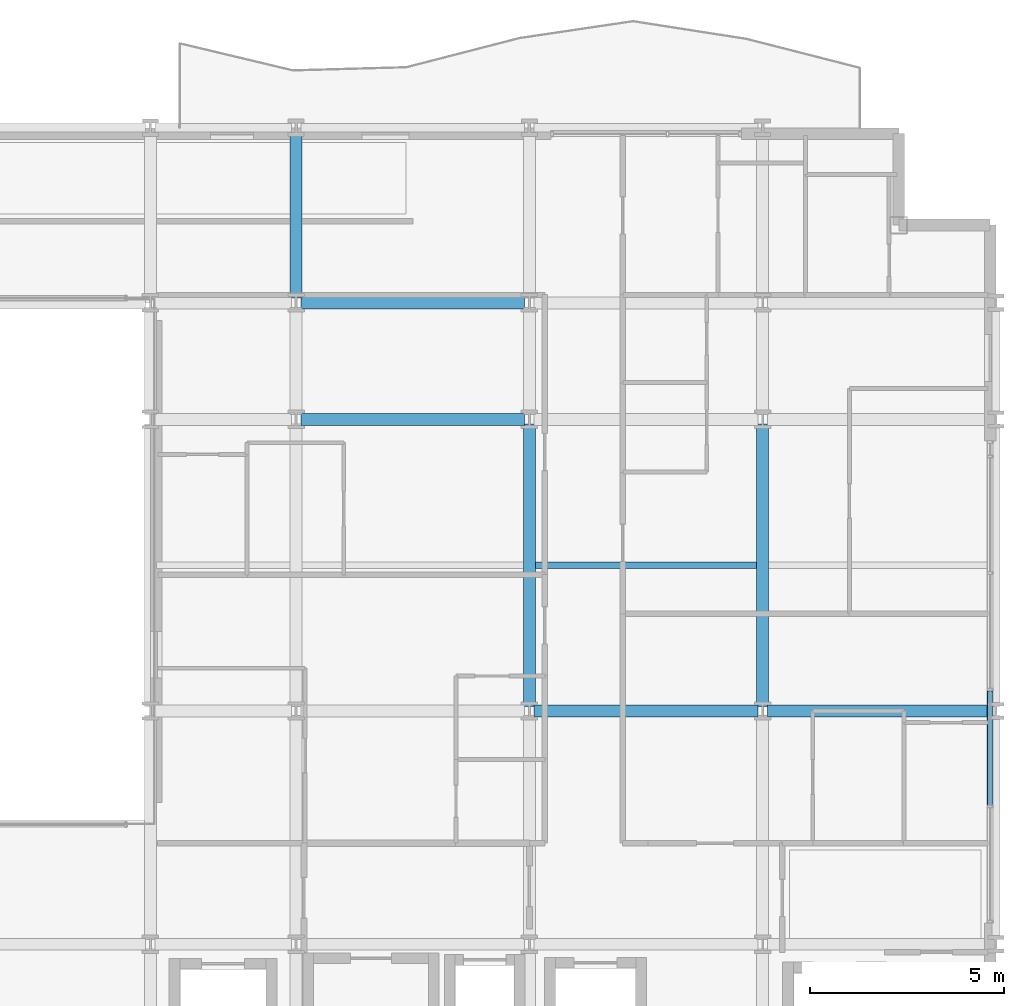
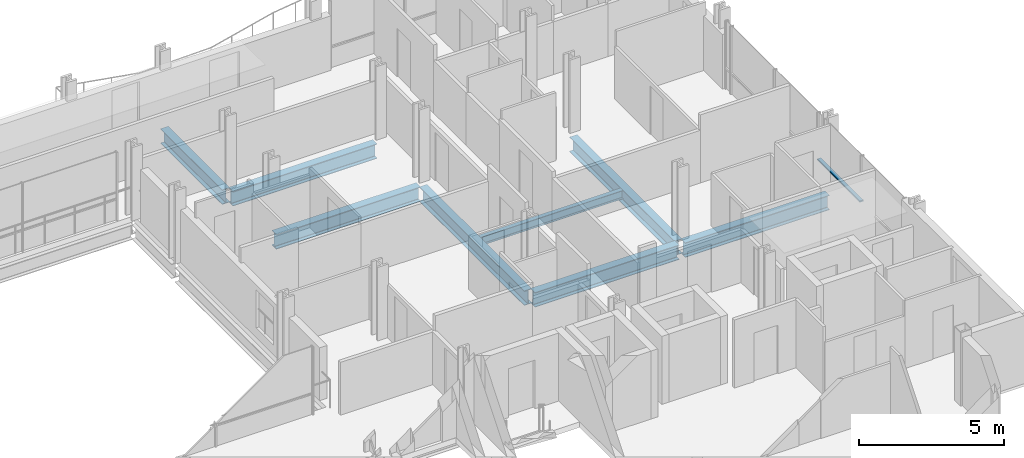
# One storey, part 18 of 41: 8 beams, 1 member, 1 element without a shape of its own.
"""IFC4 building model written with IfcOpenShell, lengths in metres."""

from ifc_helpers import new_model, si_unit, direction, frame, origin, origin_2d, place, context, subcontext, project, spatial, hollow_rectangle, i_section, extrude, material, layer, layer_set, material_profile, profile_set, type_object, element, aggregate, save


model = new_model("IFC4")

# Units and contexts
model_context = context("Model", 3, precision=1e-05, world=origin(), true_north=direction((0.0, 1.0)))
body_context = subcontext(model_context, "Body", "Model", "MODEL_VIEW")
ifc_project = project(units=[si_unit("LENGTHUNIT", "METRE"), si_unit("AREAUNIT", "SQUARE_METRE"), si_unit("VOLUMEUNIT", "CUBIC_METRE"), si_unit("PLANEANGLEUNIT", "RADIAN"), si_unit("MASSUNIT", "GRAM", prefix="KILO")], contexts=[model_context])

# Site, building, storey
site_placement = place(None, origin())
site = spatial("IfcSite", under=ifc_project, at=site_placement, CompositionType="ELEMENT")
building_placement = place(site_placement, origin())
building = spatial("IfcBuilding", under=site, at=building_placement, Name="Brevholm Reach", CompositionType="ELEMENT")
storey_placement = place(building_placement, frame((0.0, 0.0, 55.89990234375)))
storey = spatial("IfcBuildingStorey", under=building, at=storey_placement, Name="L15", CompositionType="ELEMENT", Elevation=55.89990234375)

# Beams
ifc_material_1 = material(Name="Structural Steel S355J2", Category="steel")
ifc_material_profile_1 = material_profile(ifc_material_1, i_section(OverallWidth=0.17138671875, OverallDepth=0.35498046875, WebThickness=0.00732421875, FlangeThickness=0.011474609375, FilletRadius=0.01025390625, at=origin_2d()), Name="UKB 356x171x51")
ifc_profile_set_1 = profile_set([ifc_material_profile_1], Name="Structural Steel S355J2")
beam_type_1 = type_object("IfcBeamType", Name="BM-B356", PredefinedType="BEAM", material=ifc_profile_set_1)
beam_1_placement = place(storey_placement, frame((48.153564453125, 19.75, -0.407470703125), z_axis=(1.0, 0.0, 0.0), x_axis=(0.0, 1.0, 0.0)))
element("IfcBeam", 1, at=beam_1_placement, inside=storey, type_object=beam_type_1, Name="L15 Composite Secondary Floor Beam", PredefinedType="BEAM", context=body_context, shape_type="SweptSolid", body=[
    extrude(i_section(OverallWidth=0.17138671875, OverallDepth=0.35498046875, WebThickness=0.00732421875, FlangeThickness=0.011474609375, FilletRadius=0.01025390625, at=origin_2d()), origin(), (0.0, 0.0, 1.0), 5.69287109375),
])
ifc_material_2 = material(Name="Structural Steel S355J2", Category="steel")
ifc_material_profile_2 = material_profile(ifc_material_2, i_section(OverallWidth=0.30712890625, OverallDepth=0.6201171875, WebThickness=0.01416015625, FlangeThickness=0.023681640625, FilletRadius=0.0166015625, at=origin_2d()), Name="UKB 610x305x179")
ifc_profile_set_2 = profile_set([ifc_material_profile_2], Name="Structural Steel S355J2")
beam_type_2 = type_object("IfcBeamType", Name="BM-UKB610H", PredefinedType="USERDEFINED", material=ifc_profile_set_2)
for number, where, z_axis, x_axis, name in (
    (2, (48.1201171875, 16.0, -0.5400390625), (1.0, 0.0, 0.0), (0.0, 1.0, 0.0), "L15 G-06 Framing Beam"),
    (3, (54.1201171875, 16.0, -0.5400390625), (1.0, 0.0, 0.0), (0.0, 1.0, 0.0), "L15 G-06 Framing Beam"),
    (4, (42.1201171875, 23.5, -0.5400390625), (1.0, 0.0, 0.0), (0.0, 1.0, 0.0), "L15 G-06 Framing Beam"),
    (5, (42.1201171875, 26.5, -0.5400390625), (1.0, 0.0, 0.0), (0.0, 1.0, 0.0), "L15 G-06 Framing Beam"),
):
    element("IfcBeam", number, at=place(storey_placement, frame(where, z_axis=z_axis, x_axis=x_axis)), inside=storey, type_object=beam_type_2, Name=name, ObjectType="GIRDER", PredefinedType="USERDEFINED", context=body_context, shape_type="SweptSolid", body=[
        extrude(i_section(OverallWidth=0.30712890625, OverallDepth=0.6201171875, WebThickness=0.01416015625, FlangeThickness=0.023681640625, FilletRadius=0.0166015625, at=origin_2d()), origin(), (0.0, 0.0, 1.0), 5.759765625),
    ])
beam_2_placement = place(storey_placement, frame((42.0, 26.6201171875, -0.5400390625), z_axis=(0.0, 1.0, 0.0), x_axis=(-1.0, 0.0, 0.0)))
element("IfcBeam", 6, at=beam_2_placement, inside=storey, type_object=beam_type_2, Name="L15 G-06 Framing Beam", ObjectType="GIRDER", PredefinedType="USERDEFINED", context=body_context, shape_type="SweptSolid", body=[
    extrude(i_section(OverallWidth=0.30712890625, OverallDepth=0.6201171875, WebThickness=0.01416015625, FlangeThickness=0.023681640625, FilletRadius=0.0166015625, at=origin_2d()), origin(), (0.0, 0.0, 1.0), 4.259765625),
])
for number, where, z_axis, x_axis, name in (
    (7, (48.0, 16.1201171875, -0.5400390625), (0.0, 1.0, 0.0), (-1.0, 0.0, 0.0), "L15 G-06 Framing Beam"),
    (8, (54.0, 16.1201171875, -0.5400390625), (0.0, 1.0, 0.0), (-1.0, 0.0, 0.0), "L15 G-06 Framing Beam"),
):
    element("IfcBeam", number, at=place(storey_placement, frame(where, z_axis=z_axis, x_axis=x_axis)), inside=storey, type_object=beam_type_2, Name=name, ObjectType="GIRDER", PredefinedType="USERDEFINED", context=body_context, shape_type="SweptSolid", body=[
        extrude(i_section(OverallWidth=0.30712890625, OverallDepth=0.6201171875, WebThickness=0.01416015625, FlangeThickness=0.023681640625, FilletRadius=0.0166015625, at=origin_2d()), origin(), (0.0, 0.0, 1.0), 7.259765625),
    ])

# Curtain wall, member
ifc_material_3 = material(Name="Dark Anodised Aluminium 6063-T6 and Solar-Control Glass", Category="aluminium")
ifc_layer = layer(ifc_material_3, 0.14990234375)
ifc_layer_set = layer_set([ifc_layer], Name="Dark Anodised Aluminium 6063-T6 and Solar-Control Glass")
curtain_wall_type = type_object("IfcCurtainWallType", Name="CW-01", PredefinedType="NOTDEFINED", material=ifc_layer_set)
curtain_wall_placement = place(storey_placement, origin())
curtain_wall = element("IfcCurtainWall", 9, at=curtain_wall_placement, inside=storey, type_object=curtain_wall_type, Name="L15 Curtain Wall CW-01", PredefinedType="NOTDEFINED")
ifc_material_4 = material(Name="Dark Anodised Aluminium 6063-T6", Category="aluminium")
ifc_material_profile_3 = material_profile(ifc_material_4, hollow_rectangle(XDim=0.06494140625, YDim=0.14990234375, WallThickness=0.0048828125, InnerFilletRadius=0.0048828125, OuterFilletRadius=0.010009765625, at=origin_2d()), Name="RHS 150x65x5")
ifc_profile_set_3 = profile_set([ifc_material_profile_3], Name="Dark Anodised Aluminium 6063-T6")
member_type = type_object("IfcMemberType", Name="CWT-150", PredefinedType="NOTDEFINED", material=ifc_profile_set_3)
member_placement = place(storey_placement, frame((59.85009765625, 13.58251953125, 0.900146484375), z_axis=(0.0, 1.0, 0.0), x_axis=(0.0, 0.0, 1.0)))
member = element("IfcMember", 10, at=member_placement, type_object=member_type, Name="CT-150 Transom 2.1", ObjectType="TRANSOM", PredefinedType="USERDEFINED", context=body_context, shape_type="SweptSolid", body=[
    extrude(hollow_rectangle(XDim=0.06494140625, YDim=0.14990234375, WallThickness=0.0048828125, InnerFilletRadius=0.0048828125, OuterFilletRadius=0.010009765625, at=origin_2d()), origin(), (0.0, 0.0, 1.0), 2.93505859375),
])
aggregate(curtain_wall, [member])

save(model, "model.ifc")
